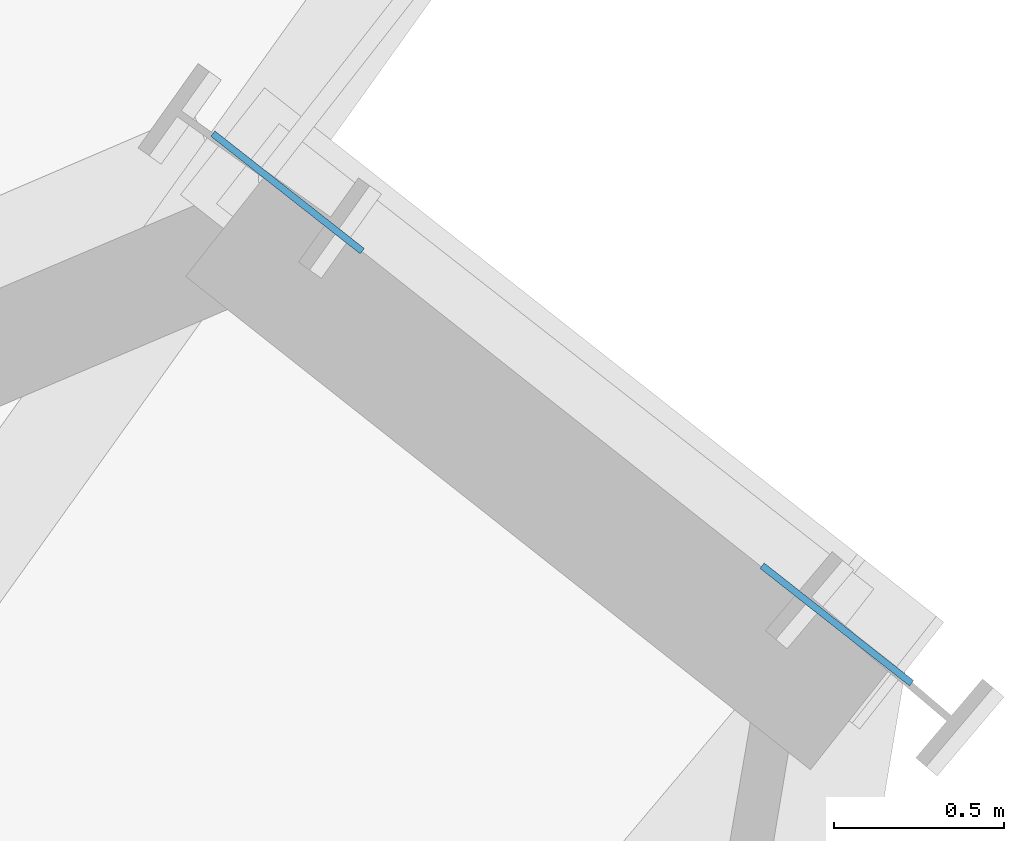
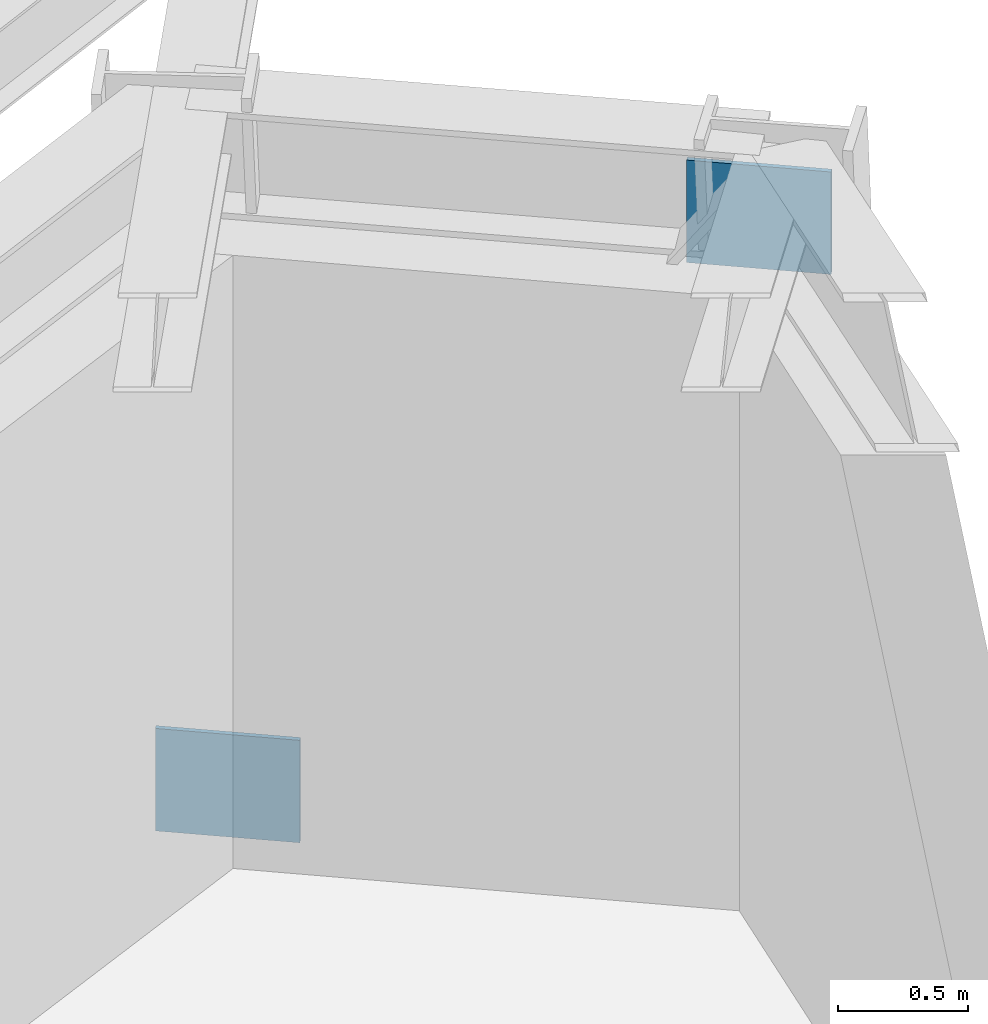
# One storey, part 6 of 13: 2 plates.
"""IFC4 building model written with IfcOpenShell, lengths in metres."""

from ifc_helpers import new_model, si_unit, direction, frame, origin, origin_2d, place, context, subcontext, project, spatial, rectangle, extrude, source, transform, mapped, material, type_object, element, save


model = new_model("IFC4")

# Units and contexts
model_context = context("Model", 3, precision=1e-05, world=origin(), true_north=direction((0.0, 1.0)))
body_context = subcontext(model_context, "Body", "Model", "MODEL_VIEW")
ifc_project = project(units=[si_unit("LENGTHUNIT", "METRE"), si_unit("AREAUNIT", "SQUARE_METRE"), si_unit("VOLUMEUNIT", "CUBIC_METRE"), si_unit("PLANEANGLEUNIT", "RADIAN"), si_unit("MASSUNIT", "GRAM", prefix="KILO")], contexts=[model_context])

# Site, building, storey
site_placement = place(None, origin())
site = spatial("IfcSite", under=ifc_project, at=site_placement, CompositionType="ELEMENT")
building_placement = place(site_placement, origin())
building = spatial("IfcBuilding", under=site, at=building_placement, Name="Olszyna Solenne Hotel", CompositionType="ELEMENT")
storey_placement = place(building_placement, frame((0.0, 0.0, 248.89990234375)))
storey = spatial("IfcBuildingStorey", under=building, at=storey_placement, Name="L66", CompositionType="ELEMENT", Elevation=248.89990234375)

# Plates
ifc_material = material(Name="Steel S355J2", Category="steel")
plate_type = type_object("IfcPlateType", Name="GP-ND2", PredefinedType="USERDEFINED", material=ifc_material)
shared_shape = source(origin(), body_context, "Body", "SweptSolid", [
    extrude(rectangle(XDim=0.56005859375, YDim=0.02001953125, at=origin_2d()), origin(), (0.0, 0.0, 1.0), 0.47998046875),
])
for number, where, z_axis, x_axis, name in (
    (1, (54.463623046875, 49.4423828125, -0.1162109375), (0.0, 0.0, 1.0), (0.785964813832, -0.618271228037, 0.0), "Brace end connection gusset plate GP-ND2 EP-BR-L66-1-1"),
    (2, (56.08251953125, 48.1689453125, 2.75146484375), (0.0, 0.0, 1.0), (0.785964813832, -0.618271228037, 0.0), "Brace end connection gusset plate GP-ND2 EP-BR-L66-1-2"),
):
    element("IfcPlate", number, at=place(storey_placement, frame(where, z_axis=z_axis, x_axis=x_axis)), inside=storey, type_object=plate_type, Name=name, ObjectType="GUSSET_PLATE", PredefinedType="USERDEFINED", context=body_context, shape_type="MappedRepresentation", body=[
        mapped(shared_shape, transform((0.0, 0.0, 0.0), x_axis=(1.0, 0.0, 0.0), y_axis=(0.0, 1.0, 0.0), z_axis=(0.0, 0.0, 1.0), scale=1.0)),
    ])

save(model, "model.ifc")
